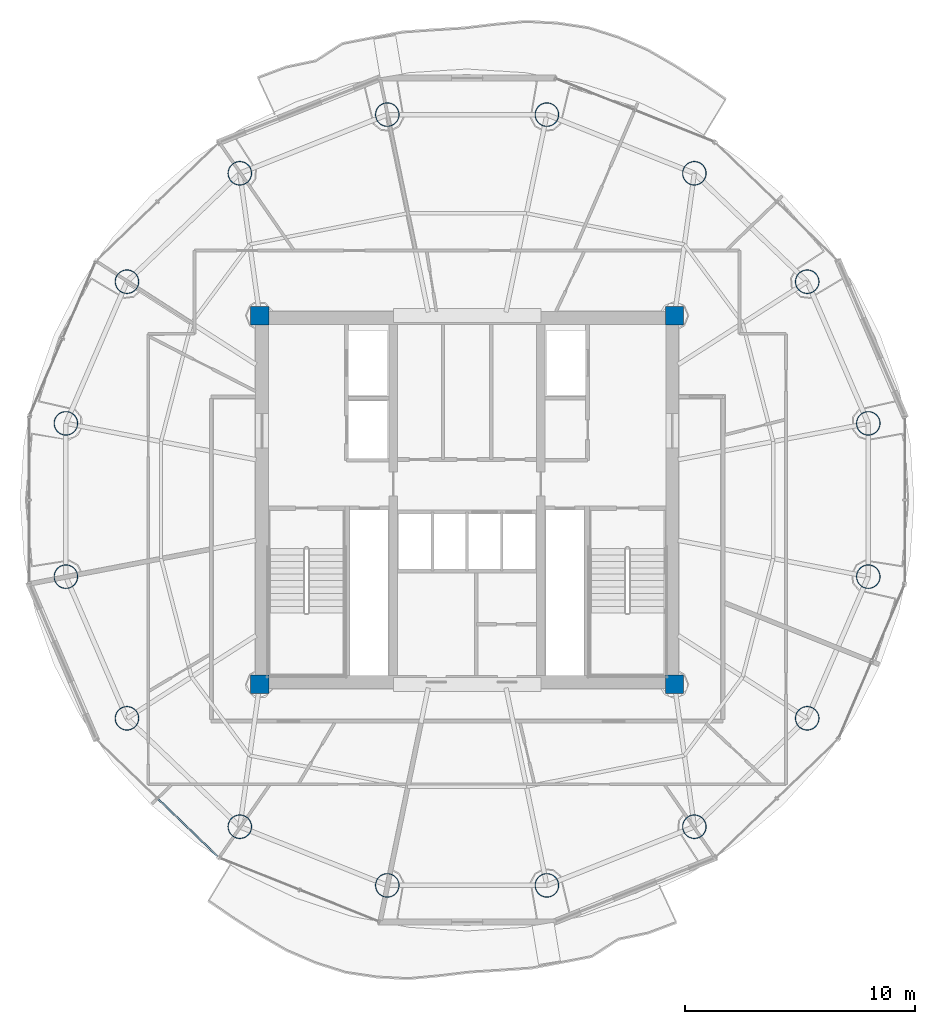
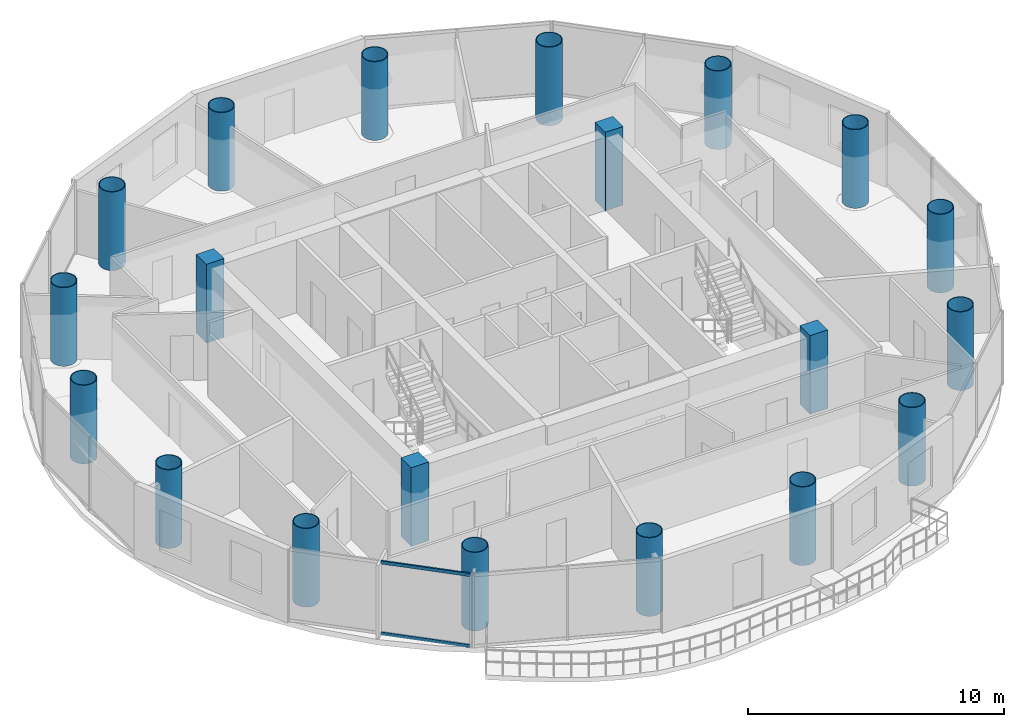
# One storey, part 1 of 23: 20 columns, 2 members, 1 element without a shape of its own.
"""IFC4 building model written with IfcOpenShell, lengths in metres."""

from ifc_helpers import new_model, si_unit, direction, frame, origin, origin_2d, place, context, subcontext, project, spatial, rectangle, hollow_rectangle, hollow_circle, extrude, source, transform, mapped, material, material_profile, profile_set, type_object, element, aggregate, save


model = new_model("IFC4")

# Units and contexts
model_context = context("Model", 3, precision=1e-05, world=origin(), true_north=direction((-0.2419218956, 0.970295726276)))
body_context = subcontext(model_context, "Body", "Model", "MODEL_VIEW")
ifc_project = project(units=[si_unit("LENGTHUNIT", "METRE"), si_unit("AREAUNIT", "SQUARE_METRE"), si_unit("VOLUMEUNIT", "CUBIC_METRE"), si_unit("PLANEANGLEUNIT", "RADIAN"), si_unit("MASSUNIT", "GRAM", prefix="KILO")], contexts=[model_context])

# Site, building, storey
site_placement = place(None, origin())
site = spatial("IfcSite", under=ifc_project, at=site_placement, CompositionType="ELEMENT")
building_placement = place(site_placement, origin())
building = spatial("IfcBuilding", under=site, at=building_placement, Name="Cobrevalo Terracotta Tower", CompositionType="ELEMENT")
storey_placement = place(building_placement, frame((0.0, 0.0, 248.199951171875)))
storey = spatial("IfcBuildingStorey", under=building, at=storey_placement, Name="L65", CompositionType="ELEMENT", Elevation=248.199951171875)

# Columns
ifc_material_1 = material(Name="Steel S355", Category="steel")
ifc_material_profile_1 = material_profile(ifc_material_1, hollow_circle(Radius=0.52490234375, WallThickness=0.034912109375, at=origin_2d()), Name="CHS 1050x35")
ifc_profile_set_1 = profile_set([ifc_material_profile_1], Name="Steel S355")
column_type_1 = type_object("IfcColumnType", Name="Structural Column CHS 1050x35 (Steel S355)", PredefinedType="COLUMN", material=ifc_profile_set_1)
for number, where, z_axis, x_axis, name in (
    (1, (55.408935546875, 30.126220703125, 0.0), (0.0, 0.0, 1.0), (1.0, 0.0, 0.0), "L65 composite megacolumn MC01"),
    (2, (52.758544921875, 36.2724609375, 0.0), (0.0, 0.0, 1.0), (1.0, 0.0, 0.0), "L65 composite megacolumn MC02"),
    (3, (47.861328125, 40.9765625, 0.0), (0.0, 0.0, 1.0), (1.0, 0.0, 0.0), "L65 composite megacolumn MC03"),
    (4, (41.462890625, 43.5224609375, 0.0), (0.0, 0.0, 1.0), (1.0, 0.0, 0.0), "L65 composite megacolumn MC04"),
    (5, (34.537109375, 43.5224609375, 0.0), (0.0, 0.0, 1.0), (1.0, 0.0, 0.0), "L65 composite megacolumn MC05"),
    (6, (28.138671875, 40.9765625, 0.0), (0.0, 0.0, 1.0), (1.0, 0.0, 0.0), "L65 composite megacolumn MC06"),
    (7, (23.241455078125, 36.2724609375, 0.0), (0.0, 0.0, 1.0), (1.0, 0.0, 0.0), "L65 composite megacolumn MC07"),
    (8, (20.591064453125, 30.126220703125, 0.0), (0.0, 0.0, 1.0), (1.0, 0.0, 0.0), "L65 composite megacolumn MC08"),
    (9, (20.591064453125, 23.4736328125, 0.0), (0.0, 0.0, 1.0), (1.0, 0.0, 0.0), "L65 composite megacolumn MC09"),
    (10, (23.241455078125, 17.32763671875, 0.0), (0.0, 0.0, 1.0), (1.0, 0.0, 0.0), "L65 composite megacolumn MC10"),
    (11, (28.138671875, 12.62353515625, 0.0), (0.0, 0.0, 1.0), (1.0, 0.0, 0.0), "L65 composite megacolumn MC11"),
    (12, (34.537109375, 10.07763671875, 0.0), (0.0, 0.0, 1.0), (1.0, 0.0, 0.0), "L65 composite megacolumn MC12"),
    (13, (41.462890625, 10.07763671875, 0.0), (0.0, 0.0, 1.0), (1.0, 0.0, 0.0), "L65 composite megacolumn MC13"),
    (14, (47.861328125, 12.62353515625, 0.0), (0.0, 0.0, 1.0), (1.0, 0.0, 0.0), "L65 composite megacolumn MC14"),
    (15, (52.758544921875, 17.32763671875, 0.0), (0.0, 0.0, 1.0), (1.0, 0.0, 0.0), "L65 composite megacolumn MC15"),
    (16, (55.408935546875, 23.4736328125, 0.0), (0.0, 0.0, 1.0), (1.0, 0.0, 0.0), "L65 composite megacolumn MC16"),
):
    element("IfcColumn", number, at=place(storey_placement, frame(where, z_axis=z_axis, x_axis=x_axis)), inside=storey, type_object=column_type_1, Name=name, PredefinedType="COLUMN", context=body_context, shape_type="SweptSolid", body=[
        extrude(hollow_circle(Radius=0.52490234375, WallThickness=0.034912109375, at=origin_2d()), origin(), (0.0, 0.0, 1.0), 3.75),
    ])
ifc_material_2 = material(Name="Concrete C50", Category="concrete")
ifc_material_profile_2 = material_profile(ifc_material_2, rectangle(XDim=0.800048828125, YDim=0.800048828125, at=origin_2d()), Name="RC COL 800x800")
ifc_profile_set_2 = profile_set([ifc_material_profile_2], Name="Concrete C50")
column_type_2 = type_object("IfcColumnType", Name="Structural Column RC COL 800x800 (Concrete C50)", PredefinedType="COLUMN", material=ifc_profile_set_2)
for number, where, z_axis, x_axis, name in (
    (17, (29.0, 18.800048828125, 0.0), (0.0, 0.0, 1.0), (1.0, 0.0, 0.0), "L65 core corner column CC1"),
    (18, (47.0, 18.800048828125, 0.0), (0.0, 0.0, 1.0), (1.0, 0.0, 0.0), "L65 core corner column CC2"),
    (19, (47.0, 34.800048828125, 0.0), (0.0, 0.0, 1.0), (1.0, 0.0, 0.0), "L65 core corner column CC3"),
    (20, (29.0, 34.800048828125, 0.0), (0.0, 0.0, 1.0), (1.0, 0.0, 0.0), "L65 core corner column CC4"),
):
    element("IfcColumn", number, at=place(storey_placement, frame(where, z_axis=z_axis, x_axis=x_axis)), inside=storey, type_object=column_type_2, Name=name, PredefinedType="COLUMN", context=body_context, shape_type="SweptSolid", body=[
        extrude(rectangle(XDim=0.800048828125, YDim=0.800048828125, at=origin_2d()), origin(), (0.0, 0.0, 1.0), 3.75),
    ])

# Curtain wall, members
ifc_material_3 = material(Name="Anodized aluminium", Category="aluminium")
curtain_wall_type = type_object("IfcCurtainWallType", Name="Upper-tower triple-glazed penthouse curtain wall CW-U3", PredefinedType="NOTDEFINED", material=ifc_material_3)
curtain_wall_placement = place(storey_placement, origin())
curtain_wall = element("IfcCurtainWall", 21, at=curtain_wall_placement, inside=storey, type_object=curtain_wall_type, Name="L65 curtain wall CW-L65-S10", PredefinedType="NOTDEFINED")
ifc_material_profile_3 = material_profile(ifc_material_3, hollow_rectangle(XDim=0.074951171875, YDim=0.14990234375, WallThickness=0.00439453125, at=origin_2d()), Name="CWT 75x150")
ifc_profile_set_3 = profile_set([ifc_material_profile_3], Name="Anodized aluminium")
member_type = type_object("IfcMemberType", Name="Tower unitised aluminium transom 75x150", PredefinedType="USERDEFINED", material=ifc_profile_set_3)
shared_shape = source(origin(), body_context, "Body", "SweptSolid", [
    extrude(hollow_rectangle(XDim=0.074951171875, YDim=0.14990234375, WallThickness=0.00439453125, at=origin_2d()), origin(), (0.0, 0.0, 1.0), 3.59130859375),
])
member_1_placement = place(storey_placement, frame((24.59521484375, 13.82421875, 0.050048828125), z_axis=(0.720005628362, -0.693968223427, 0.0), x_axis=(0.693968223427, 0.720005628362, 0.0)))
member_1 = element("IfcMember", 22, at=member_1_placement, type_object=member_type, Name="CW-L65-S10 transom B02-T1", ObjectType="TRANSOM", PredefinedType="USERDEFINED", context=body_context, shape_type="MappedRepresentation", body=[
    mapped(shared_shape, transform((0.0, 0.0, 0.0), scale=1.0)),
])
member_2_placement = place(storey_placement, frame((24.59521484375, 13.82421875, 3.43994140625), z_axis=(0.720005628362, -0.693968223427, 0.0), x_axis=(0.693968223427, 0.720005628362, 0.0)))
member_2 = element("IfcMember", 23, at=member_2_placement, type_object=member_type, Name="CW-L65-S10 transom B02-T2", ObjectType="TRANSOM", PredefinedType="USERDEFINED", context=body_context, shape_type="MappedRepresentation", body=[
    mapped(shared_shape, transform((0.0, 0.0, 0.0), scale=1.0)),
])
aggregate(curtain_wall, [member_1, member_2])

save(model, "model.ifc")
